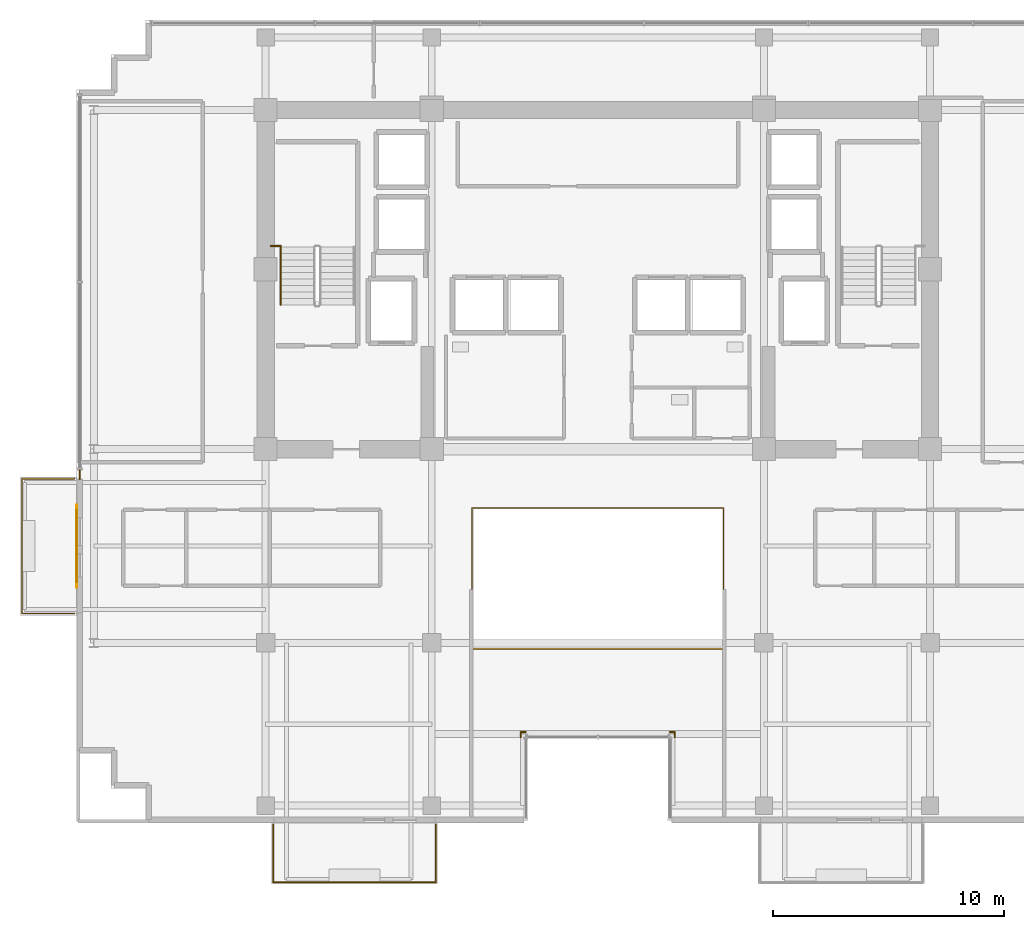
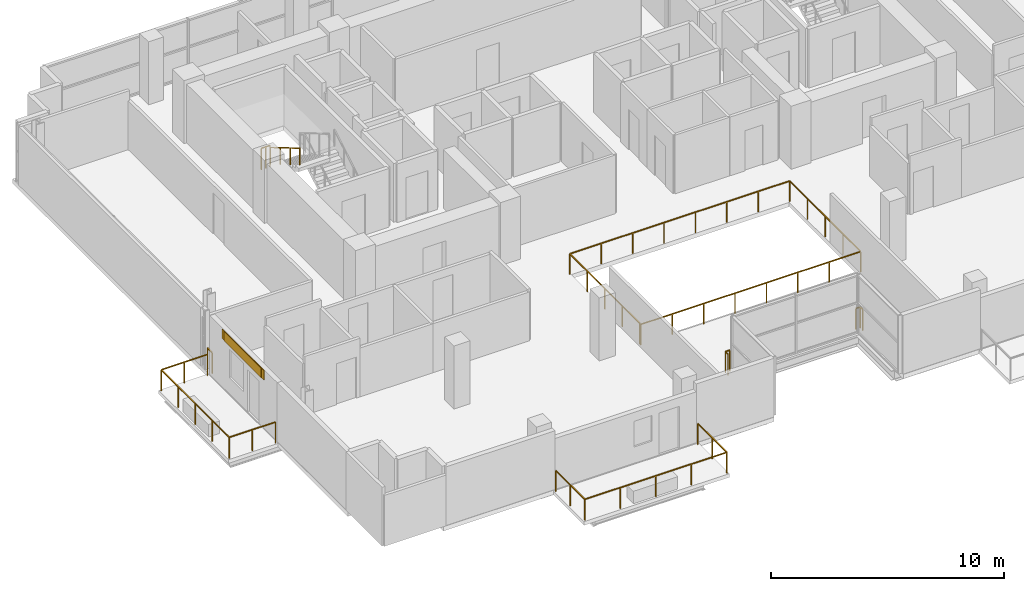
# One storey, part 19 of 21: 10 railings, 1 covering, 1 shading device.
"""IFC4 building model written with IfcOpenShell, lengths in metres."""

import ifcopenshell
import ifcopenshell.guid

model = None  # the IFC model being written
_history = None  # IfcOwnerHistory: only IFC2X3 demands one
_inside = {}  # id of a spatial element -> (the spatial element, [elements in it])
_under = {}  # id of a project, library or spatial element -> (it, [spatial elements below it])
_declared = {}  # id of a project -> (the project, [libraries it declares])
_typed = {}  # id of a type object -> (the type object, [elements of that type])
_made_of = {}  # id of a material, layer set ... -> (it, [elements and type objects made of it])


def new_model(schema):
    """Start an empty IFC model of exactly this schema.

    Asked for "IFC4X3", IfcOpenShell would pick the latest addendum, in which some entities
    have other attributes; the version numbers below select the first issue.
    IFC2X3 requires an IfcOwnerHistory on every rooted entity: one is made here for all.
    """
    global model, _history
    if schema == "IFC4X3":
        model = ifcopenshell.file(schema_version=(4, 3, 0, 0))
    else:
        model = ifcopenshell.file(schema=schema)
    _inside.clear()
    _under.clear()
    _declared.clear()
    _typed.clear()
    _made_of.clear()
    _history = None
    if model.schema == "IFC2X3":
        org = make("IfcOrganization", Name="unknown")
        user = make(
            "IfcPersonAndOrganization",
            ThePerson=make("IfcPerson", FamilyName="unknown"),
            TheOrganization=org,
        )
        app = make(
            "IfcApplication",
            ApplicationDeveloper=org,
            Version="unknown",
            ApplicationFullName="unknown",
            ApplicationIdentifier="unknown",
        )
        _history = make(
            "IfcOwnerHistory",
            OwningUser=user,
            OwningApplication=app,
            ChangeAction="ADDED",
            CreationDate=0,
        )
    return model


def make(cls, **values):
    """One entity of the class cls with the attributes given. An attribute that is None is left unset."""
    return model.create_entity(
        cls, **{name: value for name, value in values.items() if value is not None}
    )


def rooted(cls, **values):
    """An entity with a GlobalId (a new one), such as an element, a storey or a relation."""
    return make(cls, GlobalId=ifcopenshell.guid.new(), OwnerHistory=_history, **values)


def si_unit(unit_type, name, prefix=None):
    """IfcSIUnit, for example si_unit("LENGTHUNIT", "METRE", prefix="MILLI")."""
    return make("IfcSIUnit", UnitType=unit_type, Prefix=prefix, Name=name)


def assignment(units):
    """IfcUnitAssignment: the units of a project."""
    return None if units is None else make("IfcUnitAssignment", Units=units)


def point(xyz):
    """IfcCartesianPoint."""
    return None if xyz is None else make("IfcCartesianPoint", Coordinates=xyz)


def direction(xyz):
    """IfcDirection."""
    return None if xyz is None else make("IfcDirection", DirectionRatios=xyz)


def frame(location, z_axis=None, x_axis=None):
    """IfcAxis2Placement3D, a coordinate frame: its origin and axes. An axis left out is left unset."""
    return make(
        "IfcAxis2Placement3D",
        Location=point(location),
        Axis=direction(z_axis),
        RefDirection=direction(x_axis),
    )


def frame_2d(location, x_axis=None):
    """IfcAxis2Placement2D, a coordinate frame in the plane: its origin and x axis."""
    return make(
        "IfcAxis2Placement2D", Location=point(location), RefDirection=direction(x_axis)
    )


def origin():
    """The frame at (0, 0, 0) with its axes left unset."""
    return frame((0.0, 0.0, 0.0))


def origin_2d():
    """The frame at (0, 0) in the plane with its x axis left unset."""
    return frame_2d((0.0, 0.0))


def place(relative_to, where):
    """IfcLocalPlacement: puts the frame where relative to a parent placement (None: the world)."""
    return make(
        "IfcLocalPlacement", PlacementRelTo=relative_to, RelativePlacement=where
    )


def context(
    kind, dimensions, precision=None, world=None, true_north=None, identifier=None
):
    """IfcGeometricRepresentationContext, for example the 3D "Model" context."""
    return make(
        "IfcGeometricRepresentationContext",
        ContextIdentifier=identifier,
        ContextType=kind,
        CoordinateSpaceDimension=dimensions,
        Precision=precision,
        WorldCoordinateSystem=world,
        TrueNorth=true_north,
    )


def subcontext(parent, identifier, kind, view, scale=None):
    """IfcGeometricRepresentationSubContext, for example "Body" below "Model"."""
    return make(
        "IfcGeometricRepresentationSubContext",
        ContextIdentifier=identifier,
        ContextType=kind,
        ParentContext=parent,
        TargetScale=scale,
        TargetView=view,
    )


def project(units=None, contexts=None):
    """IfcProject with its units and contexts."""
    return rooted(
        "IfcProject",
        Name="project",
        RepresentationContexts=contexts,
        UnitsInContext=assignment(units),
    )


def spatial(cls, under=None, at=None, **own):
    """A site, building, storey or space (cls), placed at a placement, below another one or the project."""
    s = rooted(cls, ObjectPlacement=at, **own)
    if under is not None:
        _under.setdefault(under.id(), (under, []))[1].append(s)
    return s


def profile(cls, at=None, kind="AREA", **sizes):
    """A parametric profile (cls). Its sizes go by their IFC names, for example OverallWidth=200.0."""
    return make(cls, ProfileType=kind, Position=at, **sizes)


def rectangle(**sizes):
    """IfcRectangleProfileDef."""
    return profile("IfcRectangleProfileDef", **sizes)


def extrude(swept, where, along, depth):
    """IfcExtrudedAreaSolid: the profile swept, set in the frame where, extruded along a direction by depth."""
    return make(
        "IfcExtrudedAreaSolid",
        SweptArea=swept,
        Position=where,
        ExtrudedDirection=direction(along),
        Depth=depth,
    )


def shape(context_of_items, identifier, shape_type, items):
    """IfcShapeRepresentation: the items that make up one representation, for example the "Body"."""
    return make(
        "IfcShapeRepresentation",
        ContextOfItems=context_of_items,
        RepresentationIdentifier=identifier,
        RepresentationType=shape_type,
        Items=items,
    )


def source(mapping_origin, context_of_items, identifier, shape_type, items):
    """IfcRepresentationMap: a shape defined once, which mapped items show again and again."""
    return make(
        "IfcRepresentationMap",
        MappingOrigin=mapping_origin,
        MappedRepresentation=shape(context_of_items, identifier, shape_type, items),
    )


def transform(
    local_origin,
    x_axis=None,
    y_axis=None,
    z_axis=None,
    scale=None,
    scale2=None,
    scale3=None,
    uniform=True,
):
    """IfcCartesianTransformationOperator3D, or its non-uniform kind. x_axis, y_axis, z_axis: its Axis1, 2, 3."""
    if uniform:
        return make(
            "IfcCartesianTransformationOperator3D",
            Axis1=direction(x_axis),
            Axis2=direction(y_axis),
            LocalOrigin=point(local_origin),
            Scale=scale,
            Axis3=direction(z_axis),
        )
    return make(
        "IfcCartesianTransformationOperator3DnonUniform",
        Axis1=direction(x_axis),
        Axis2=direction(y_axis),
        LocalOrigin=point(local_origin),
        Scale=scale,
        Axis3=direction(z_axis),
        Scale2=scale2,
        Scale3=scale3,
    )


def mapped(mapping_source, mapping_target):
    """IfcMappedItem: shows the shape of a source again, moved by a transform."""
    return make(
        "IfcMappedItem", MappingSource=mapping_source, MappingTarget=mapping_target
    )


def material(Name=None, Category=None):
    """IfcMaterial."""
    return make("IfcMaterial", Name=Name, Category=Category)


def layer(
    of_material, thickness, ventilated=None, Name=None, Category=None, Priority=None
):
    """IfcMaterialLayer: one layer of a wall or slab, of a material (None: an air gap)."""
    return make(
        "IfcMaterialLayer",
        Material=of_material,
        LayerThickness=thickness,
        IsVentilated=ventilated,
        Name=Name,
        Category=Category,
        Priority=Priority,
    )


def layer_set(layers, Name=None):
    """IfcMaterialLayerSet."""
    return make("IfcMaterialLayerSet", MaterialLayers=layers, LayerSetName=Name)


def made_of(thing, what):
    """Note that an element or type object is made of a material, layer set ...; save() writes the relation."""
    if what is not None:
        _made_of.setdefault(what.id(), (what, []))[1].append(thing)
    return thing


def type_object(cls, material=None, **own):
    """A type object (cls), such as IfcWallType, which elements share."""
    return made_of(rooted(cls, **own), material)


def element(
    cls,
    number,
    at=None,
    inside=None,
    cuts=None,
    type_object=None,
    material=None,
    context=None,
    identifier="Body",
    shape_type=None,
    held_by="IfcProductDefinitionShape",
    body=None,
    shapes=None,
    **own,
):
    """One element of the class cls, such as IfcWall. Its Tag is "e" and its number.

    at: its placement. inside: the storey or other place that contains it. cuts: it is an
    opening in that element (IfcRelVoidsElement). A single representation is given by context,
    identifier, shape_type and body (its items); several are given by shapes. held_by: the class
    of the entity that holds the representations. save() writes the other relations.
    """
    e = rooted(cls, Tag="e%d" % number, ObjectPlacement=at, **own)
    if body is not None:
        shapes = [shape(context, identifier, shape_type, body)]
    if shapes is not None:
        e.Representation = make(held_by, Representations=shapes)
    if inside is not None:
        _inside.setdefault(inside.id(), (inside, []))[1].append(e)
    if cuts is not None:
        rooted(
            "IfcRelVoidsElement", RelatingBuildingElement=cuts, RelatedOpeningElement=e
        )
    if type_object is not None:
        _typed.setdefault(type_object.id(), (type_object, []))[1].append(e)
    return made_of(e, material)


def aggregate(whole, parts):
    """IfcRelAggregates: a whole, such as a stair, and the parts it consists of."""
    return rooted("IfcRelAggregates", RelatingObject=whole, RelatedObjects=parts)


def save(model, path):
    """Write the relations noted so far, then the file.

    IfcRelAggregates (storeys below a building ...), IfcRelContainedInSpatialStructure (elements
    in a storey), IfcRelDefinesByType, IfcRelAssociatesMaterial and IfcRelDeclares: one each for
    every whole, place, type object, material and project.
    """
    for whole, parts in _under.values():
        aggregate(whole, parts)
    for where, things in _inside.values():
        rooted(
            "IfcRelContainedInSpatialStructure",
            RelatedElements=things,
            RelatingStructure=where,
        )
    for kind, things in _typed.values():
        rooted("IfcRelDefinesByType", RelatedObjects=things, RelatingType=kind)
    for what, things in _made_of.values():
        rooted("IfcRelAssociatesMaterial", RelatedObjects=things, RelatingMaterial=what)
    for by, libraries in _declared.values():
        rooted("IfcRelDeclares", RelatingContext=by, RelatedDefinitions=libraries)
    model.write(path)


model = new_model("IFC4")

# Units and contexts
model_context = context("Model", 3, precision=1e-05, world=origin(), true_north=direction((0.0, 1.0)))
body_context = subcontext(model_context, "Body", "Model", "MODEL_VIEW")
ifc_project = project(units=[si_unit("LENGTHUNIT", "METRE"), si_unit("AREAUNIT", "SQUARE_METRE"), si_unit("VOLUMEUNIT", "CUBIC_METRE"), si_unit("PLANEANGLEUNIT", "RADIAN"), si_unit("MASSUNIT", "GRAM", prefix="KILO")], contexts=[model_context])

# Site, building, storey
site_placement = place(None, origin())
site = spatial("IfcSite", under=ifc_project, at=site_placement, CompositionType="ELEMENT")
building_placement = place(site_placement, origin())
building = spatial("IfcBuilding", under=site, at=building_placement, Name="Zarnakvel Exchange Tower", CompositionType="ELEMENT")
storey_placement = place(building_placement, frame((0.0, 0.0, 185.800048828125)))
storey = spatial("IfcBuildingStorey", under=building, at=storey_placement, Name="L52", CompositionType="ELEMENT", Elevation=185.800048828125)

# Railings
ifc_material_1 = material(Name="Architectural Bronze Anodised Aluminium", Category="aluminium")
railing_type_1 = type_object("IfcRailingType", Name="GR-02", PredefinedType="GUARDRAIL", material=ifc_material_1)
railing_1_placement = place(storey_placement, frame((-14.070068359375, -17.47998046875, -0.03515625)))
element("IfcRailing", 1, at=railing_1_placement, inside=storey, type_object=railing_type_1, Name="L52 Balcony Guardrail BAL-L52-SW", PredefinedType="GUARDRAIL", context=body_context, shape_type="SweptSolid", body=[
    extrude(rectangle(XDim=0.048095703125, YDim=0.048095703125, at=origin_2d()), frame((0.0, 0.0, 1.09619140625), z_axis=(0.0, -1.0, 0.0), x_axis=(1.0, 0.0, 0.0)), (0.0, 0.0, 1.0), 2.489990234375),
    extrude(rectangle(XDim=0.048095703125, YDim=0.048095703125, at=origin_2d()), frame((0.0, -2.489990234375, 1.09619140625), z_axis=(1.0, 0.0, 0.0), x_axis=(0.0, 1.0, 0.0)), (0.0, 0.0, 1.0), 7.0400390625),
    extrude(rectangle(XDim=0.048095703125, YDim=0.048095703125, at=origin_2d()), frame((7.0400390625, -2.489990234375, 1.09619140625), z_axis=(0.0, 1.0, 0.0), x_axis=(-1.0, 0.0, 0.0)), (0.0, 0.0, 1.0), 2.489990234375),
    extrude(rectangle(XDim=0.0419921875, YDim=0.0419921875, at=origin_2d()), origin(), (0.0, 0.0, 1.0), 1.072021484375),
    extrude(rectangle(XDim=0.0419921875, YDim=0.0419921875, at=origin_2d()), frame((0.0, -1.2451171875, 0.0)), (0.0, 0.0, 1.0), 1.072021484375),
    extrude(rectangle(XDim=0.0419921875, YDim=0.0419921875, at=origin_2d()), frame((0.0, -2.489990234375, 0.0)), (0.0, 0.0, 1.0), 1.072021484375),
    extrude(rectangle(XDim=0.0419921875, YDim=0.0419921875, at=origin_2d()), frame((1.760009765625, -2.489990234375, 0.0)), (0.0, 0.0, 1.0), 1.072021484375),
    extrude(rectangle(XDim=0.0419921875, YDim=0.0419921875, at=origin_2d()), frame((3.52001953125, -2.489990234375, 0.0)), (0.0, 0.0, 1.0), 1.072021484375),
    extrude(rectangle(XDim=0.0419921875, YDim=0.0419921875, at=origin_2d()), frame((5.280029296875, -2.489990234375, 0.0)), (0.0, 0.0, 1.0), 1.072021484375),
    extrude(rectangle(XDim=0.0419921875, YDim=0.0419921875, at=origin_2d()), frame((7.0400390625, -2.489990234375, 0.0)), (0.0, 0.0, 1.0), 1.072021484375),
    extrude(rectangle(XDim=0.0419921875, YDim=0.0419921875, at=origin_2d()), frame((7.0400390625, -1.2451171875, 0.0)), (0.0, 0.0, 1.0), 1.072021484375),
    extrude(rectangle(XDim=0.0419921875, YDim=0.0419921875, at=origin_2d()), frame((7.0400390625, 0.0, 0.0)), (0.0, 0.0, 1.0), 1.072021484375),
])
railing_2_placement = place(storey_placement, frame((-22.679931640625, -8.320068359375, -0.03515625)))
element("IfcRailing", 2, at=railing_2_placement, inside=storey, type_object=railing_type_1, Name="L52 Balcony Guardrail BAL-L52-W", PredefinedType="GUARDRAIL", context=body_context, shape_type="SweptSolid", body=[
    extrude(rectangle(XDim=0.048095703125, YDim=0.048095703125, at=origin_2d()), frame((0.0, 0.0, 1.09619140625), z_axis=(-1.0, 0.0, 0.0), x_axis=(0.0, -1.0, 0.0)), (0.0, 0.0, 1.0), 2.2900390625),
    extrude(rectangle(XDim=0.048095703125, YDim=0.048095703125, at=origin_2d()), frame((-2.2900390625, 0.0, 1.09619140625), z_axis=(0.0, 1.0, 0.0), x_axis=(-1.0, 0.0, 0.0)), (0.0, 0.0, 1.0), 5.840087890625),
    extrude(rectangle(XDim=0.048095703125, YDim=0.048095703125, at=origin_2d()), frame((-2.2900390625, 5.840087890625, 1.09619140625), z_axis=(1.0, 0.0, 0.0), x_axis=(0.0, 1.0, 0.0)), (0.0, 0.0, 1.0), 2.2900390625),
    extrude(rectangle(XDim=0.0419921875, YDim=0.0419921875, at=origin_2d()), origin(), (0.0, 0.0, 1.0), 1.072021484375),
    extrude(rectangle(XDim=0.0419921875, YDim=0.0419921875, at=origin_2d()), frame((-1.14501953125, 0.0, 0.0)), (0.0, 0.0, 1.0), 1.072021484375),
    extrude(rectangle(XDim=0.0419921875, YDim=0.0419921875, at=origin_2d()), frame((-2.2900390625, 0.0, 0.0)), (0.0, 0.0, 1.0), 1.072021484375),
    extrude(rectangle(XDim=0.0419921875, YDim=0.0419921875, at=origin_2d()), frame((-2.2900390625, 1.4599609375, 0.0)), (0.0, 0.0, 1.0), 1.072021484375),
    extrude(rectangle(XDim=0.0419921875, YDim=0.0419921875, at=origin_2d()), frame((-2.2900390625, 2.919921875, 0.0)), (0.0, 0.0, 1.0), 1.072021484375),
    extrude(rectangle(XDim=0.0419921875, YDim=0.0419921875, at=origin_2d()), frame((-2.2900390625, 4.380126953125, 0.0)), (0.0, 0.0, 1.0), 1.072021484375),
    extrude(rectangle(XDim=0.0419921875, YDim=0.0419921875, at=origin_2d()), frame((-2.2900390625, 5.840087890625, 0.0)), (0.0, 0.0, 1.0), 1.072021484375),
    extrude(rectangle(XDim=0.0419921875, YDim=0.0419921875, at=origin_2d()), frame((-1.14501953125, 5.840087890625, 0.0)), (0.0, 0.0, 1.0), 1.072021484375),
    extrude(rectangle(XDim=0.0419921875, YDim=0.0419921875, at=origin_2d()), frame((0.0, 5.840087890625, 0.0)), (0.0, 0.0, 1.0), 1.072021484375),
])
railing_3_placement = place(storey_placement, frame((-22.4599609375, -2.5, 0.0)))
element("IfcRailing", 3, at=railing_3_placement, inside=storey, type_object=railing_type_1, Name="L52 Corner Spandrel Balustrade #2", PredefinedType="GUARDRAIL", context=body_context, shape_type="SweptSolid", body=[
    extrude(rectangle(XDim=0.048095703125, YDim=0.048095703125, at=origin_2d()), frame((0.0, 0.0, 1.09619140625), z_axis=(0.0, 1.0, 0.0), x_axis=(-1.0, 0.0, 0.0)), (0.0, 0.0, 1.0), 0.39990234375),
    extrude(rectangle(XDim=0.0419921875, YDim=0.0419921875, at=origin_2d()), origin(), (0.0, 0.0, 1.0), 1.072021484375),
    extrude(rectangle(XDim=0.0419921875, YDim=0.0419921875, at=origin_2d()), frame((0.0, 0.39990234375, 0.0)), (0.0, 0.0, 1.0), 1.072021484375),
])
railing_4_placement = place(storey_placement, frame((3.340087890625, -13.679931640625, 0.0)))
element("IfcRailing", 4, at=railing_4_placement, inside=storey, type_object=railing_type_1, Name="L52 Corner Spandrel Balustrade #17", PredefinedType="GUARDRAIL", context=body_context, shape_type="SweptSolid", body=[
    extrude(rectangle(XDim=0.048095703125, YDim=0.048095703125, at=origin_2d()), frame((0.0, 0.0, 1.09619140625), z_axis=(0.0, 1.0, 0.0), x_axis=(-1.0, 0.0, 0.0)), (0.0, 0.0, 1.0), 0.219970703125),
    extrude(rectangle(XDim=0.0419921875, YDim=0.0419921875, at=origin_2d()), origin(), (0.0, 0.0, 1.0), 1.072021484375),
    extrude(rectangle(XDim=0.0419921875, YDim=0.0419921875, at=origin_2d()), frame((0.0, 0.219970703125, 0.0)), (0.0, 0.0, 1.0), 1.072021484375),
])
for number, where, name in (
    (5, (3.340087890625, -13.4599609375, 0.0), "L52 Corner Spandrel Balustrade #18"),
    (6, (-3.1201171875, -13.4599609375, 0.0), "L52 Corner Spandrel Balustrade #19"),
):
    element("IfcRailing", number, at=place(storey_placement, frame(where)), inside=storey, type_object=railing_type_1, Name=name, PredefinedType="GUARDRAIL", context=body_context, shape_type="SweptSolid", body=[
        extrude(rectangle(XDim=0.048095703125, YDim=0.048095703125, at=origin_2d()), frame((0.0, 0.0, 1.09619140625), z_axis=(-1.0, 0.0, 0.0), x_axis=(0.0, -1.0, 0.0)), (0.0, 0.0, 1.0), 0.219970703125),
        extrude(rectangle(XDim=0.0419921875, YDim=0.0419921875, at=origin_2d()), origin(), (0.0, 0.0, 1.0), 1.072021484375),
        extrude(rectangle(XDim=0.0419921875, YDim=0.0419921875, at=origin_2d()), frame((-0.219970703125, 0.0, 0.0)), (0.0, 0.0, 1.0), 1.072021484375),
    ])
railing_5_placement = place(storey_placement, frame((-3.340087890625, -13.4599609375, 0.0)))
element("IfcRailing", 7, at=railing_5_placement, inside=storey, type_object=railing_type_1, Name="L52 Corner Spandrel Balustrade #20", PredefinedType="GUARDRAIL", context=body_context, shape_type="SweptSolid", body=[
    extrude(rectangle(XDim=0.048095703125, YDim=0.048095703125, at=origin_2d()), frame((0.0, 0.0, 1.09619140625), z_axis=(0.0, -1.0, 0.0), x_axis=(1.0, 0.0, 0.0)), (0.0, 0.0, 1.0), 0.219970703125),
    extrude(rectangle(XDim=0.0419921875, YDim=0.0419921875, at=origin_2d()), origin(), (0.0, 0.0, 1.0), 1.072021484375),
    extrude(rectangle(XDim=0.0419921875, YDim=0.0419921875, at=origin_2d()), frame((0.0, -0.219970703125, 0.0)), (0.0, 0.0, 1.0), 1.072021484375),
])
railing_type_2 = type_object("IfcRailingType", Name="GR-03", PredefinedType="GUARDRAIL", material=ifc_material_1)
railing_6_placement = place(storey_placement, frame((-5.449951171875, -9.85009765625, 0.0)))
element("IfcRailing", 8, at=railing_6_placement, inside=storey, type_object=railing_type_2, Name="L52 Atrium Void Perimeter Balustrade", PredefinedType="GUARDRAIL", context=body_context, shape_type="SweptSolid", body=[
    extrude(rectangle(XDim=0.048095703125, YDim=0.048095703125, at=origin_2d()), frame((0.0, 0.0, 1.076171875), z_axis=(1.0, 0.0, 0.0), x_axis=(0.0, 1.0, 0.0)), (0.0, 0.0, 1.0), 10.89990234375),
    extrude(rectangle(XDim=0.048095703125, YDim=0.048095703125, at=origin_2d()), frame((10.89990234375, 0.0, 1.076171875), z_axis=(0.0, 1.0, 0.0), x_axis=(-1.0, 0.0, 0.0)), (0.0, 0.0, 1.0), 6.10009765625),
    extrude(rectangle(XDim=0.048095703125, YDim=0.048095703125, at=origin_2d()), frame((10.89990234375, 6.10009765625, 1.076171875), z_axis=(-1.0, 0.0, 0.0), x_axis=(0.0, -1.0, 0.0)), (0.0, 0.0, 1.0), 10.89990234375),
    extrude(rectangle(XDim=0.048095703125, YDim=0.048095703125, at=origin_2d()), frame((0.0, 6.10009765625, 1.076171875), z_axis=(0.0, -1.0, 0.0), x_axis=(1.0, 0.0, 0.0)), (0.0, 0.0, 1.0), 6.02001953125),
    extrude(rectangle(XDim=0.0419921875, YDim=0.0419921875, at=origin_2d()), origin(), (0.0, 0.0, 1.0), 1.052001953125),
    extrude(rectangle(XDim=0.0419921875, YDim=0.0419921875, at=origin_2d()), frame((1.55712890625, 0.0, 0.0)), (0.0, 0.0, 1.0), 1.052001953125),
    extrude(rectangle(XDim=0.0419921875, YDim=0.0419921875, at=origin_2d()), frame((3.1142578125, 0.0, 0.0)), (0.0, 0.0, 1.0), 1.052001953125),
    extrude(rectangle(XDim=0.0419921875, YDim=0.0419921875, at=origin_2d()), frame((4.67138671875, 0.0, 0.0)), (0.0, 0.0, 1.0), 1.052001953125),
    extrude(rectangle(XDim=0.0419921875, YDim=0.0419921875, at=origin_2d()), frame((6.228515625, 0.0, 0.0)), (0.0, 0.0, 1.0), 1.052001953125),
    extrude(rectangle(XDim=0.0419921875, YDim=0.0419921875, at=origin_2d()), frame((7.78564453125, 0.0, 0.0)), (0.0, 0.0, 1.0), 1.052001953125),
    extrude(rectangle(XDim=0.0419921875, YDim=0.0419921875, at=origin_2d()), frame((9.3427734375, 0.0, 0.0)), (0.0, 0.0, 1.0), 1.052001953125),
    extrude(rectangle(XDim=0.0419921875, YDim=0.0419921875, at=origin_2d()), frame((10.89990234375, 0.0, 0.0)), (0.0, 0.0, 1.0), 1.052001953125),
    extrude(rectangle(XDim=0.0419921875, YDim=0.0419921875, at=origin_2d()), frame((10.89990234375, 1.52490234375, 0.0)), (0.0, 0.0, 1.0), 1.052001953125),
    extrude(rectangle(XDim=0.0419921875, YDim=0.0419921875, at=origin_2d()), frame((10.89990234375, 3.050048828125, 0.0)), (0.0, 0.0, 1.0), 1.052001953125),
    extrude(rectangle(XDim=0.0419921875, YDim=0.0419921875, at=origin_2d()), frame((10.89990234375, 4.5751953125, 0.0)), (0.0, 0.0, 1.0), 1.052001953125),
    extrude(rectangle(XDim=0.0419921875, YDim=0.0419921875, at=origin_2d()), frame((10.89990234375, 6.10009765625, 0.0)), (0.0, 0.0, 1.0), 1.052001953125),
    extrude(rectangle(XDim=0.0419921875, YDim=0.0419921875, at=origin_2d()), frame((9.3427734375, 6.10009765625, 0.0)), (0.0, 0.0, 1.0), 1.052001953125),
    extrude(rectangle(XDim=0.0419921875, YDim=0.0419921875, at=origin_2d()), frame((7.78564453125, 6.10009765625, 0.0)), (0.0, 0.0, 1.0), 1.052001953125),
    extrude(rectangle(XDim=0.0419921875, YDim=0.0419921875, at=origin_2d()), frame((6.228515625, 6.10009765625, 0.0)), (0.0, 0.0, 1.0), 1.052001953125),
    extrude(rectangle(XDim=0.0419921875, YDim=0.0419921875, at=origin_2d()), frame((4.67138671875, 6.10009765625, 0.0)), (0.0, 0.0, 1.0), 1.052001953125),
    extrude(rectangle(XDim=0.0419921875, YDim=0.0419921875, at=origin_2d()), frame((3.1142578125, 6.10009765625, 0.0)), (0.0, 0.0, 1.0), 1.052001953125),
    extrude(rectangle(XDim=0.0419921875, YDim=0.0419921875, at=origin_2d()), frame((1.55712890625, 6.10009765625, 0.0)), (0.0, 0.0, 1.0), 1.052001953125),
    extrude(rectangle(XDim=0.0419921875, YDim=0.0419921875, at=origin_2d()), frame((0.0, 6.10009765625, 0.0)), (0.0, 0.0, 1.0), 1.052001953125),
    extrude(rectangle(XDim=0.0419921875, YDim=0.0419921875, at=origin_2d()), frame((0.0, 4.59521484375, 0.0)), (0.0, 0.0, 1.0), 1.052001953125),
    extrude(rectangle(XDim=0.0419921875, YDim=0.0419921875, at=origin_2d()), frame((0.0, 3.090087890625, 0.0)), (0.0, 0.0, 1.0), 1.052001953125),
    extrude(rectangle(XDim=0.0419921875, YDim=0.0419921875, at=origin_2d()), frame((0.0, 1.5849609375, 0.0)), (0.0, 0.0, 1.0), 1.052001953125),
    extrude(rectangle(XDim=0.0419921875, YDim=0.0419921875, at=origin_2d()), frame((0.0, 0.080078125, 0.0)), (0.0, 0.0, 1.0), 1.052001953125),
])
ifc_material_2 = material(Name="Brushed Stainless Steel", Category="steel")
railing_type_3 = type_object("IfcRailingType", Name="HR-01", PredefinedType="HANDRAIL", material=ifc_material_2)
railing_7_placement = place(storey_placement, frame((-13.75, 7.570068359375, 1.81494140625)))
element("IfcRailing", 9, at=railing_7_placement, inside=storey, type_object=railing_type_3, Name="L52 ST-01 stair handrail 2", PredefinedType="HANDRAIL", context=body_context, shape_type="SweptSolid", body=[
    extrude(rectangle(XDim=0.048095703125, YDim=0.048095703125, at=origin_2d()), frame((0.0, 0.0, 0.8759765625), z_axis=(0.0, -0.86152411907, 0.507716645641), x_axis=(1.0, 0.0, 0.0)), (0.0, 0.0, 1.0), 2.925048828125),
    extrude(rectangle(XDim=0.0419921875, YDim=0.0419921875, at=origin_2d()), origin(), (0.0, 0.0, 1.0), 0.851806640625),
    extrude(rectangle(XDim=0.0419921875, YDim=0.0419921875, at=origin_2d()), frame((0.0, -0.840087890625, 0.4951171875)), (0.0, 0.0, 1.0), 0.851806640625),
    extrude(rectangle(XDim=0.0419921875, YDim=0.0419921875, at=origin_2d()), frame((0.0, -1.679931640625, 0.989990234375)), (0.0, 0.0, 1.0), 0.851806640625),
    extrude(rectangle(XDim=0.0419921875, YDim=0.0419921875, at=origin_2d()), frame((0.0, -2.52001953125, 1.485107421875)), (0.0, 0.0, 1.0), 0.851806640625),
])
railing_type_4 = type_object("IfcRailingType", Name="SG-01", PredefinedType="GUARDRAIL", material=ifc_material_1)
railing_8_placement = place(storey_placement, frame((-14.179931640625, 7.610107421875, 1.64990234375)))
element("IfcRailing", 10, at=railing_8_placement, inside=storey, type_object=railing_type_4, Name="L52 ST-01 Landing Slot Guardrail", PredefinedType="GUARDRAIL", context=body_context, shape_type="SweptSolid", body=[
    extrude(rectangle(XDim=0.048095703125, YDim=0.048095703125, at=origin_2d()), frame((0.0, 0.0, 1.1259765625), z_axis=(1.0, 0.0, 0.0), x_axis=(0.0, 1.0, 0.0)), (0.0, 0.0, 1.0), 0.429931640625),
    extrude(rectangle(XDim=0.0419921875, YDim=0.0419921875, at=origin_2d()), origin(), (0.0, 0.0, 1.0), 1.101806640625),
    extrude(rectangle(XDim=0.0419921875, YDim=0.0419921875, at=origin_2d()), frame((0.21484375, 0.0, 0.0)), (0.0, 0.0, 1.0), 1.101806640625),
    extrude(rectangle(XDim=0.0419921875, YDim=0.0419921875, at=origin_2d()), frame((0.429931640625, 0.0, 0.0)), (0.0, 0.0, 1.0), 1.101806640625),
])

# Shading device
ifc_material_3 = material(Name="Perforated Architectural Bronze Screen", Category="aluminium")
ifc_layer_1 = layer(ifc_material_3, 0.044921875)
ifc_layer_set_1 = layer_set([ifc_layer_1], Name="Perforated Architectural Bronze Screen")
shading_device_type = type_object("IfcShadingDeviceType", Name="SS-01", PredefinedType="JALOUSIE", material=ifc_layer_set_1)
shared_shape_1 = source(origin(), body_context, "Body", "SweptSolid", [
    extrude(rectangle(XDim=3.199951171875, YDim=0.044921875, at=origin_2d()), origin(), (0.0, 0.0, 1.0), 0.4951171875),
])
shading_device_placement = place(storey_placement, frame((-22.6005859375, -5.39990234375, 2.559814453125), z_axis=(0.0, 0.0, 1.0), x_axis=(0.0, 1.0, 0.0)))
element("IfcShadingDevice", 11, at=shading_device_placement, inside=storey, type_object=shading_device_type, Name="L52 Bronze Solar Shading Screen SS-01", PredefinedType="JALOUSIE", context=body_context, shape_type="MappedRepresentation", body=[
    mapped(shared_shape_1, transform((0.0, 0.0, 0.0), x_axis=(1.0, 0.0, 0.0), y_axis=(0.0, 1.0, 0.0), z_axis=(0.0, 0.0, 1.0), scale=1.0)),
])

# Covering
ifc_material_4 = material(Name="Glazed Turquoise Ceramic Architectural Tile", Category="ceramic")
ifc_layer_2 = layer(ifc_material_4, 0.028076171875)
ifc_layer_set_2 = layer_set([ifc_layer_2], Name="Glazed Turquoise Ceramic Architectural Tile")
covering_type = type_object("IfcCoveringType", Name="CL-01", PredefinedType="CLADDING", material=ifc_layer_set_2)
shared_shape_2 = source(origin(), body_context, "Body", "SweptSolid", [
    extrude(rectangle(XDim=3.60009765625, YDim=0.028076171875, at=origin_2d()), origin(), (0.0, 0.0, 1.0), 0.4951171875),
])
covering_placement = place(storey_placement, frame((-22.592041015625, -5.39990234375, 2.559814453125), z_axis=(0.0, 0.0, 1.0), x_axis=(0.0, 1.0, 0.0)))
element("IfcCovering", 12, at=covering_placement, inside=storey, type_object=covering_type, Name="L52 Ceramic Spandrel Tilework CL-01", PredefinedType="CLADDING", context=body_context, shape_type="MappedRepresentation", body=[
    mapped(shared_shape_2, transform((0.0, 0.0, 0.0), x_axis=(1.0, 0.0, 0.0), y_axis=(0.0, 1.0, 0.0), z_axis=(0.0, 0.0, 1.0), scale=1.0)),
])

save(model, "model.ifc")
